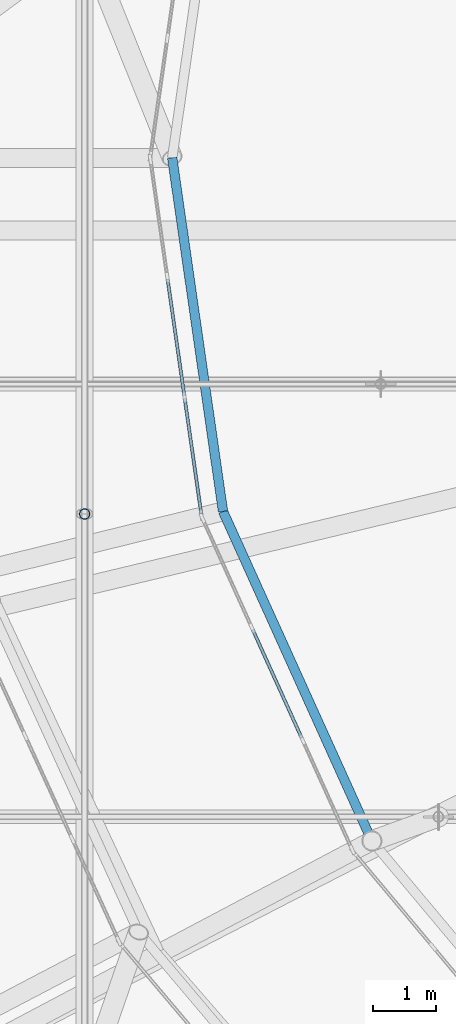
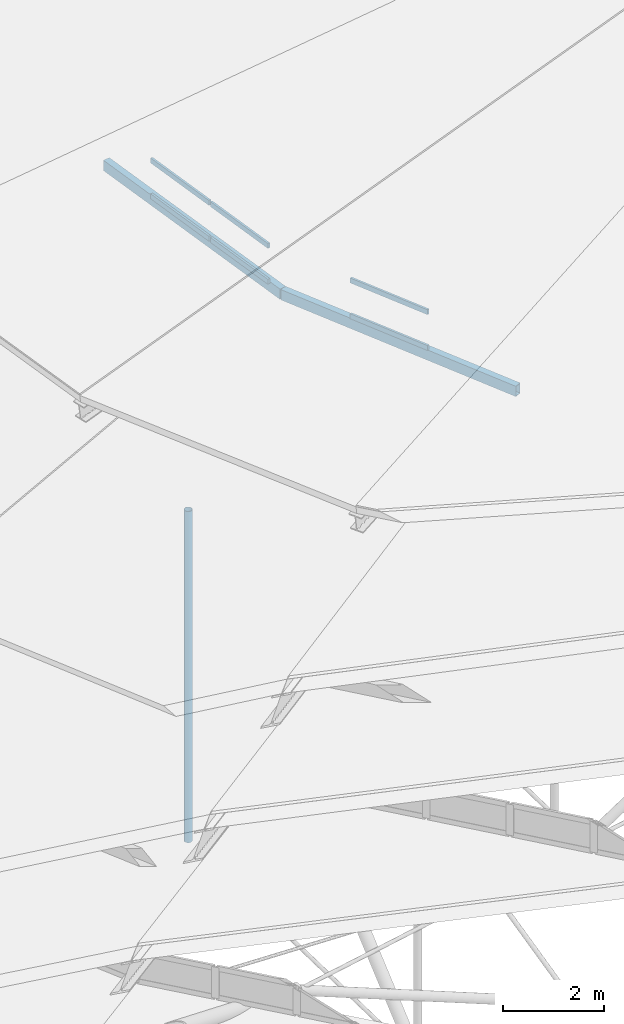
# One storey, part 35 of 173: 9 members, 2 elements without a shape of their own.
"""IFC4 building model written with IfcOpenShell, lengths in metres."""

from ifc_helpers import new_model, si_unit, direction, frame, origin, origin_2d, place, context, subcontext, project, spatial, rectangle, hollow_rectangle, hollow_circle, extrude, material, material_profile, profile_set, type_object, element, aggregate, save


model = new_model("IFC4")

# Units and contexts
model_context = context("Model", 3, precision=1e-05, world=origin(), true_north=direction((0.0, 1.0)))
body_context = subcontext(model_context, "Body", "Model", "MODEL_VIEW")
ifc_project = project(units=[si_unit("LENGTHUNIT", "METRE"), si_unit("AREAUNIT", "SQUARE_METRE"), si_unit("VOLUMEUNIT", "CUBIC_METRE"), si_unit("PLANEANGLEUNIT", "RADIAN"), si_unit("MASSUNIT", "GRAM", prefix="KILO")], contexts=[model_context])

# Site, building, storey
site_placement = place(None, origin())
site = spatial("IfcSite", under=ifc_project, at=site_placement, CompositionType="ELEMENT")
building_placement = place(site_placement, origin())
building = spatial("IfcBuilding", under=site, at=building_placement, Name="Glasvene Arena", CompositionType="ELEMENT")
storey_placement = place(building_placement, frame((0.0, 0.0, 28.800048828125)))
storey = spatial("IfcBuildingStorey", under=building, at=storey_placement, Name="RF", CompositionType="ELEMENT", Elevation=28.800048828125)

# Curtain wall, members
ifc_material_1 = material(Name="Low-emissivity laminated double glazing", Category="glass")
curtain_wall_type_1 = type_object("IfcCurtainWallType", Name="CW-PET4-575x92", PredefinedType="USERDEFINED", material=ifc_material_1)
curtain_wall_1_placement = place(storey_placement, frame((63.64990234375, 69.550048828125, 0.0)))
curtain_wall_1 = element("IfcCurtainWall", 1, at=curtain_wall_1_placement, inside=storey, type_object=curtain_wall_type_1, Name="Petal ring 4-5 clerestory curtain wall 13", ObjectType="CURTAIN WALL", PredefinedType="USERDEFINED")
ifc_material_2 = material(Name="Anodised architectural aluminium", Category="aluminium")
ifc_material_profile_1 = material_profile(ifc_material_2, rectangle(XDim=0.050048828125, YDim=0.1201171875, at=origin_2d()), Name="ALU TRANSOM 50x120")
ifc_profile_set_1 = profile_set([ifc_material_profile_1], Name="Anodised architectural aluminium")
member_type_1 = type_object("IfcMemberType", Name="CW-TRN-120", PredefinedType="USERDEFINED", material=ifc_profile_set_1)
member_1_placement = place(storey_placement, frame((63.92626953125, 67.627197265625, 10.554931640625), z_axis=(0.142116870318, -0.98984988517, 0.0), x_axis=(0.98984988517, 0.142116870318, 0.0)))
member_1 = element("IfcMember", 2, at=member_1_placement, type_object=member_type_1, Name="CW-099 transom 2.1", ObjectType="TRANSOM", PredefinedType="USERDEFINED", context=body_context, shape_type="SweptSolid", body=[
    extrude(rectangle(XDim=0.050048828125, YDim=0.1201171875, at=origin_2d()), origin(), (0.0, 0.0, 1.0), 1.867431640625),
])
member_2_placement = place(storey_placement, frame((63.92626953125, 67.627197265625, 11.4208984375), z_axis=(0.142116870318, -0.98984988517, 0.0), x_axis=(0.98984988517, 0.142116870318, 0.0)))
member_2 = element("IfcMember", 3, at=member_2_placement, type_object=member_type_1, Name="CW-099 transom 2.2", ObjectType="TRANSOM", PredefinedType="USERDEFINED", context=body_context, shape_type="SweptSolid", body=[
    extrude(rectangle(XDim=0.050048828125, YDim=0.1201171875, at=origin_2d()), origin(), (0.0, 0.0, 1.0), 1.867431640625),
])
member_3_placement = place(storey_placement, frame((64.19873046875, 65.729248046875, 10.554931640625), z_axis=(0.14218191486, -0.989840544273, 0.0), x_axis=(0.989840544273, 0.14218191486, 0.0)))
member_3 = element("IfcMember", 4, at=member_3_placement, type_object=member_type_1, Name="CW-099 transom 3.1", ObjectType="TRANSOM", PredefinedType="USERDEFINED", context=body_context, shape_type="SweptSolid", body=[
    extrude(rectangle(XDim=0.050048828125, YDim=0.1201171875, at=origin_2d()), origin(), (0.0, 0.0, 1.0), 1.842529296875),
])
member_4_placement = place(storey_placement, frame((64.19873046875, 65.729248046875, 11.4208984375), z_axis=(0.14218191486, -0.989840544273, 0.0), x_axis=(0.989840544273, 0.14218191486, 0.0)))
member_4 = element("IfcMember", 5, at=member_4_placement, type_object=member_type_1, Name="CW-099 transom 3.2", ObjectType="TRANSOM", PredefinedType="USERDEFINED", context=body_context, shape_type="SweptSolid", body=[
    extrude(rectangle(XDim=0.050048828125, YDim=0.1201171875, at=origin_2d()), origin(), (0.0, 0.0, 1.0), 1.842529296875),
])
aggregate(curtain_wall_1, [member_1, member_2, member_3, member_4])

curtain_wall_type_2 = type_object("IfcCurtainWallType", Name="CW-PET4-582x92", PredefinedType="USERDEFINED", material=ifc_material_1)
curtain_wall_2_placement = place(storey_placement, frame((64.4677734375, 63.85595703125, 0.0)))
curtain_wall_2 = element("IfcCurtainWall", 6, at=curtain_wall_2_placement, inside=storey, type_object=curtain_wall_type_2, Name="Petal ring 4-5 clerestory curtain wall 14", ObjectType="CURTAIN WALL", PredefinedType="USERDEFINED")
member_5_placement = place(storey_placement, frame((65.27734375, 62.064453125, 10.554931640625), z_axis=(0.411797762497, -0.911275261819, 0.0), x_axis=(0.911275261819, 0.411797762497, 0.0)))
member_5 = element("IfcMember", 7, at=member_5_placement, type_object=member_type_1, Name="CW-100 transom 2.1", ObjectType="TRANSOM", PredefinedType="USERDEFINED", context=body_context, shape_type="SweptSolid", body=[
    extrude(rectangle(XDim=0.050048828125, YDim=0.1201171875, at=origin_2d()), origin(), (0.0, 0.0, 1.0), 1.890625),
])
member_6_placement = place(storey_placement, frame((65.27734375, 62.064453125, 11.4208984375), z_axis=(0.411797762497, -0.911275261819, 0.0), x_axis=(0.911275261819, 0.411797762497, 0.0)))
member_6 = element("IfcMember", 8, at=member_6_placement, type_object=member_type_1, Name="CW-100 transom 2.2", ObjectType="TRANSOM", PredefinedType="USERDEFINED", context=body_context, shape_type="SweptSolid", body=[
    extrude(rectangle(XDim=0.050048828125, YDim=0.1201171875, at=origin_2d()), origin(), (0.0, 0.0, 1.0), 1.890625),
])
aggregate(curtain_wall_2, [member_5, member_6])

# Members
ifc_material_3 = material(Name="Steel S355J2", Category="steel")
ifc_material_profile_2 = material_profile(ifc_material_3, hollow_rectangle(XDim=0.14990234375, YDim=0.25, WallThickness=0.010009765625, at=origin_2d()), Name="RHS 250x150x10.0")
ifc_profile_set_2 = profile_set([ifc_material_profile_2], Name="Steel S355J2")
member_type_2 = type_object("IfcMemberType", Name="MB-PURLIN-RHS250", PredefinedType="PURLIN", material=ifc_profile_set_2)
member_7_placement = place(storey_placement, frame((64.0, 69.550048828125, 10.1318359375), z_axis=(0.142187169071, -0.989839789537, 0.0), x_axis=(0.989839789537, 0.142187169071, 0.0)))
element("IfcMember", 9, at=member_7_placement, inside=storey, type_object=member_type_2, Name="Petal ring 4 ridge purlin 13", PredefinedType="PURLIN", context=body_context, shape_type="SweptSolid", body=[
    extrude(hollow_rectangle(XDim=0.14990234375, YDim=0.25, WallThickness=0.010009765625, at=origin_2d()), origin(), (0.0, 0.0, 1.0), 5.66796875),
])
member_8_placement = place(storey_placement, frame((64.805908203125, 63.939697265625, 10.1318359375), z_axis=(0.411820457679, -0.911265005713, 0.0), x_axis=(0.911265005713, 0.411820457679, 0.0)))
element("IfcMember", 10, at=member_8_placement, inside=storey, type_object=member_type_2, Name="Petal ring 4 ridge purlin 14", PredefinedType="PURLIN", context=body_context, shape_type="SweptSolid", body=[
    extrude(hollow_rectangle(XDim=0.14990234375, YDim=0.25, WallThickness=0.010009765625, at=origin_2d()), origin(), (0.0, 0.0, 1.0), 5.73681640625),
])
ifc_material_profile_3 = material_profile(ifc_material_3, hollow_circle(Radius=0.084228515625, WallThickness=0.008056640625, at=origin_2d()), Name="CHS 168.3x8.0")
ifc_profile_set_3 = profile_set([ifc_material_profile_3], Name="Steel S355J2")
member_type_3 = type_object("IfcMemberType", Name="MB-WEB-CHS168", PredefinedType="BRACE", material=ifc_profile_set_3)
member_9_placement = place(storey_placement, frame((62.610595703125, 63.898681640625, -2.328125), z_axis=(0.0, 0.0, 1.0), x_axis=(1.0, 0.0, 0.0)))
element("IfcMember", 11, at=member_9_placement, inside=storey, type_object=member_type_3, Name="Cable-truss vertical strut NS09-03", PredefinedType="BRACE", context=body_context, shape_type="SweptSolid", body=[
    extrude(hollow_circle(Radius=0.084228515625, WallThickness=0.008056640625, at=origin_2d()), origin(), (0.0, 0.0, 1.0), 8.0185546875),
])

save(model, "model.ifc")
